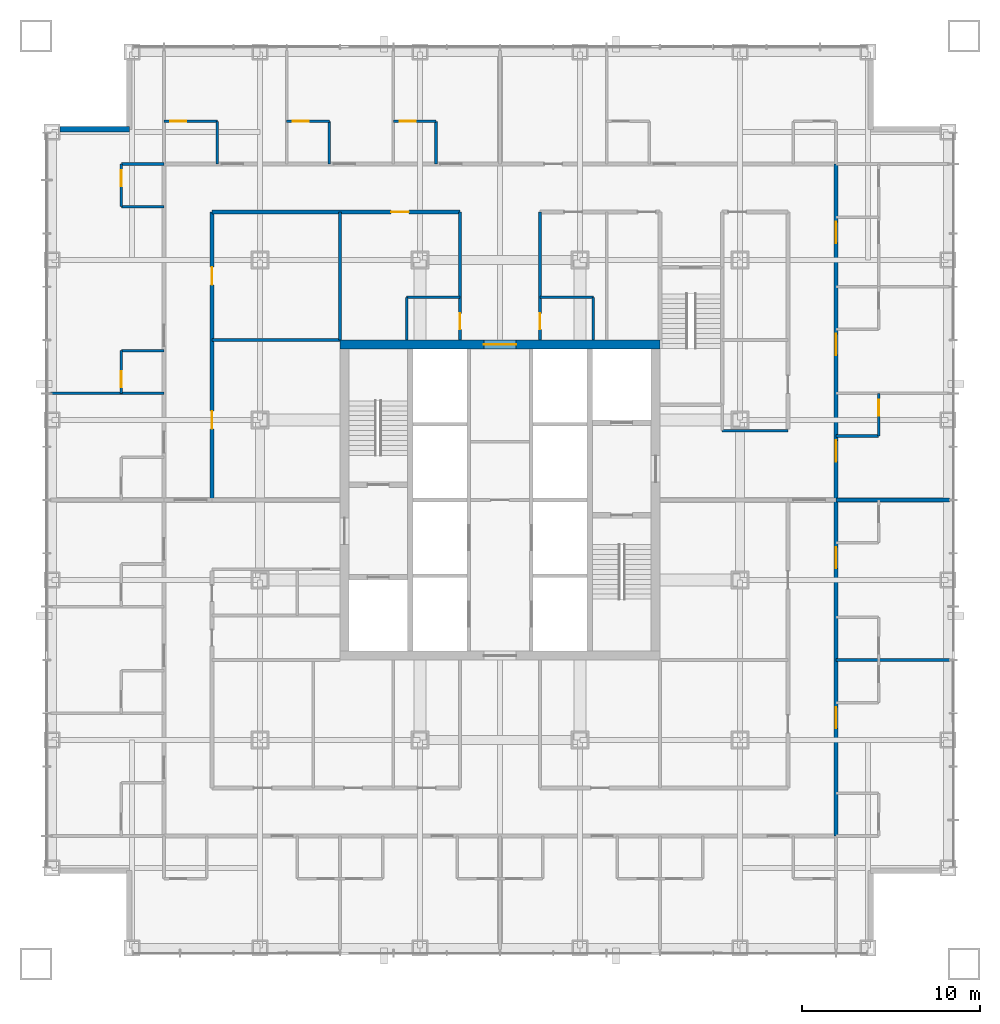
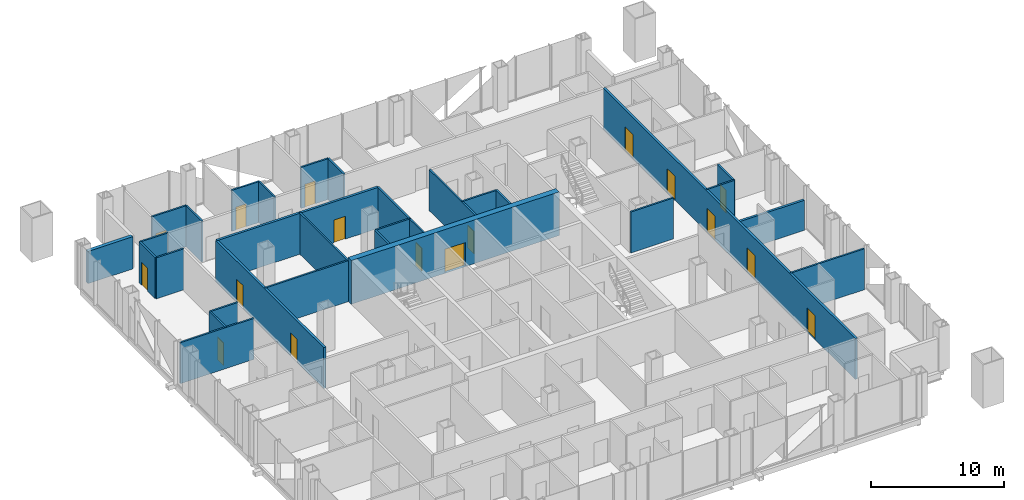
# One storey, part 10 of 17: 30 walls, 17 doors, 17 openings.
"""IFC4 building model written with IfcOpenShell, lengths in metres."""

from ifc_helpers import new_model, si_unit, direction, frame, frame_2d, origin, place, context, subcontext, project, spatial, rectangle, extrude, material, layer, layer_set, type_object, element, fill, save


model = new_model("IFC4")

# Units and contexts
model_context = context("Model", 3, precision=1e-05, world=origin(), true_north=direction((0.0, 1.0)))
body_context = subcontext(model_context, "Body", "Model", "MODEL_VIEW")
ifc_project = project(units=[si_unit("LENGTHUNIT", "METRE"), si_unit("AREAUNIT", "SQUARE_METRE"), si_unit("VOLUMEUNIT", "CUBIC_METRE"), si_unit("PLANEANGLEUNIT", "RADIAN"), si_unit("MASSUNIT", "GRAM", prefix="KILO")], contexts=[model_context])

# Site, building, storey
site_placement = place(None, origin())
site = spatial("IfcSite", under=ifc_project, at=site_placement, CompositionType="ELEMENT")
building_placement = place(site_placement, origin())
building = spatial("IfcBuilding", under=site, at=building_placement, Name="Malebo Sky Hospital", CompositionType="ELEMENT")
storey_placement = place(building_placement, frame((0.0, 0.0, 51.0)))
storey = spatial("IfcBuildingStorey", under=building, at=storey_placement, Name="L11", CompositionType="ELEMENT", Elevation=51.0)

# Wall, opening, door
ifc_material_1 = material(Name="Concrete C80/95", Category="concrete")
ifc_layer_1 = layer(ifc_material_1, 0.5)
ifc_layer_set_1 = layer_set([ifc_layer_1], Name="CORE WALL 500")
wall_type_1 = type_object("IfcWallType", Name="CORE WALL 500", PredefinedType="SHEAR", material=ifc_layer_set_1)
wall_1_placement = place(storey_placement, frame((51.0, 70.75, 0.0), z_axis=(0.0, 0.0, 1.0), x_axis=(1.0, 0.0, 0.0)))
wall_1 = element("IfcWall", 1, at=wall_1_placement, inside=storey, type_object=wall_type_1, Name="Core wall N L11", PredefinedType="SHEAR", context=body_context, shape_type="SweptSolid", body=[
    extrude(rectangle(XDim=18.0, YDim=0.5, at=frame_2d((9.0, 0.0))), origin(), (0.0, 0.0, 1.0), 4.0),
])
opening_1_placement = place(wall_1_placement, frame((8.10009765625, 0.0, 0.0)))
opening_1 = element("IfcOpeningElement", 2, at=opening_1_placement, cuts=wall_1, Name="Opening D06", PredefinedType="OPENING", context=body_context, shape_type="SweptSolid", body=[
    extrude(rectangle(XDim=1.800048828125, YDim=2.199951171875, at=frame_2d((0.89990234375, 1.10009765625))), frame((0.0, 0.260009765625, 0.0), z_axis=(0.0, -1.0, 0.0), x_axis=(1.0, 0.0, 0.0)), (0.0, 0.0, 1.0), 0.52001953125),
])
ifc_material_2 = material(Name="Hardwood-faced door leaf in steel frame", Category="steel")
door_type_1 = type_object("IfcDoorType", Name="LOBBY DOOR PAIR 1800", OperationType="DOUBLE_DOOR_SINGLE_SWING", PredefinedType="DOOR", material=ifc_material_2)
door_1_placement = place(opening_1_placement, origin())
door_1 = element("IfcDoor", 3, at=door_1_placement, inside=storey, type_object=door_type_1, Name="staff rest room door north", OperationType="DOUBLE_DOOR_SINGLE_SWING", OverallHeight=2.199951171875, OverallWidth=1.800048828125, PredefinedType="DOOR", context=body_context, shape_type="SweptSolid", body=[
    extrude(rectangle(XDim=1.800048828125, YDim=2.199951171875, at=frame_2d((0.89990234375, 1.10009765625))), frame((0.0, 0.02490234375, 0.0), z_axis=(0.0, -1.0, 0.0), x_axis=(1.0, 0.0, 0.0)), (0.0, 0.0, 1.0), 0.050048828125),
])
fill(opening_1, door_1)

ifc_material_3 = material(Name="Gypsum board on steel studs", Category="steel")
ifc_layer_2 = layer(ifc_material_3, 0.199951171875)
ifc_layer_set_2 = layer_set([ifc_layer_2], Name="CORRIDOR WALL 200")
wall_type_2 = type_object("IfcWallType", Name="CORRIDOR WALL 200", PredefinedType="PARTITIONING", material=ifc_layer_set_2)
wall_2_placement = place(storey_placement, frame((43.800048828125, 78.199951171875, 0.0), z_axis=(0.0, 0.0, 1.0), x_axis=(1.0, 0.0, 0.0)))
wall_2 = element("IfcWall", 4, at=wall_2_placement, inside=storey, type_object=wall_type_2, Name="Corridor Wall 200 NCI1", PredefinedType="PARTITIONING", context=body_context, shape_type="SweptSolid", body=[
    extrude(rectangle(XDim=13.949951171875, YDim=0.199951171875, at=frame_2d((6.97509765625, 0.0))), origin(), (0.0, 0.0, 1.0), 3.75),
])
opening_2_placement = place(wall_2_placement, frame((10.074951171875, 0.0, 0.0)))
opening_2 = element("IfcOpeningElement", 5, at=opening_2_placement, cuts=wall_2, Name="Opening D03", PredefinedType="OPENING", context=body_context, shape_type="SweptSolid", body=[
    extrude(rectangle(XDim=1.0, YDim=2.10009765625, at=frame_2d((0.5, 1.050048828125))), frame((0.0, 0.10986328125, 0.0), z_axis=(0.0, -1.0, 0.0), x_axis=(1.0, 0.0, 0.0)), (0.0, 0.0, 1.0), 0.219970703125),
])
door_type_2 = type_object("IfcDoorType", Name="ROOM DOOR 1000", OperationType="SINGLE_SWING_LEFT", PredefinedType="DOOR", material=ifc_material_2)
door_2_placement = place(opening_2_placement, origin())
door_2 = element("IfcDoor", 6, at=door_2_placement, inside=storey, type_object=door_type_2, Name="Consulting room door", OperationType="SINGLE_SWING_LEFT", OverallHeight=2.10009765625, OverallWidth=1.0, PredefinedType="DOOR", context=body_context, shape_type="SweptSolid", body=[
    extrude(rectangle(XDim=1.0, YDim=2.10009765625, at=frame_2d((0.5, 1.050048828125))), frame((0.0, 0.02490234375, 0.0), z_axis=(0.0, -1.0, 0.0), x_axis=(1.0, 0.0, 0.0)), (0.0, 0.0, 1.0), 0.050048828125),
])
fill(opening_2, door_2)

# Wall, openings, doors
wall_3_placement = place(storey_placement, frame((43.800048828125, 62.0, 0.0), z_axis=(0.0, 0.0, 1.0), x_axis=(0.0, 1.0, 0.0)))
wall_3 = element("IfcWall", 7, at=wall_3_placement, inside=storey, type_object=wall_type_2, Name="Corridor Wall 200 WCI2", PredefinedType="PARTITIONING", context=body_context, shape_type="SweptSolid", body=[
    extrude(rectangle(XDim=16.199951171875, YDim=0.199951171875, at=frame_2d((8.10009765625, 0.0))), origin(), (0.0, 0.0, 1.0), 3.75),
])
opening_3_placement = place(wall_3_placement, frame((4.0, 0.0, 0.0)))
opening_3 = element("IfcOpeningElement", 8, at=opening_3_placement, cuts=wall_3, Name="Opening D03", PredefinedType="OPENING", context=body_context, shape_type="SweptSolid", body=[
    extrude(rectangle(XDim=1.0, YDim=2.10009765625, at=frame_2d((0.5, 1.050048828125))), frame((0.0, 0.10986328125, 0.0), z_axis=(0.0, -1.0, 0.0), x_axis=(1.0, 0.0, 0.0)), (0.0, 0.0, 1.0), 0.219970703125),
])
opening_4_placement = place(wall_3_placement, frame((12.10009765625, 0.0, 0.0)))
opening_4 = element("IfcOpeningElement", 9, at=opening_4_placement, cuts=wall_3, Name="Opening D03", PredefinedType="OPENING", context=body_context, shape_type="SweptSolid", body=[
    extrude(rectangle(XDim=1.0, YDim=2.10009765625, at=frame_2d((0.5, 1.050048828125))), frame((0.0, 0.10986328125, 0.0), z_axis=(0.0, -1.0, 0.0), x_axis=(1.0, 0.0, 0.0)), (0.0, 0.0, 1.0), 0.219970703125),
])
door_3_placement = place(opening_3_placement, origin())
door_3 = element("IfcDoor", 10, at=door_3_placement, inside=storey, type_object=door_type_2, Name="Nurse station door", OperationType="SINGLE_SWING_LEFT", OverallHeight=2.10009765625, OverallWidth=1.0, PredefinedType="DOOR", context=body_context, shape_type="SweptSolid", body=[
    extrude(rectangle(XDim=1.0, YDim=2.10009765625, at=frame_2d((0.5, 1.050048828125))), frame((0.0, 0.02490234375, 0.0), z_axis=(0.0, -1.0, 0.0), x_axis=(1.0, 0.0, 0.0)), (0.0, 0.0, 1.0), 0.050048828125),
])
fill(opening_3, door_3)
door_4_placement = place(opening_4_placement, origin())
door_4 = element("IfcDoor", 11, at=door_4_placement, inside=storey, type_object=door_type_2, Name="Treatment room door", OperationType="SINGLE_SWING_RIGHT", OverallHeight=2.10009765625, OverallWidth=1.0, PredefinedType="DOOR", context=body_context, shape_type="SweptSolid", body=[
    extrude(rectangle(XDim=1.0, YDim=2.10009765625, at=frame_2d((0.5, 1.050048828125))), frame((0.0, 0.02490234375, 0.0), z_axis=(0.0, -1.0, 0.0), x_axis=(1.0, 0.0, 0.0)), (0.0, 0.0, 1.0), 0.050048828125),
])
fill(opening_4, door_4)

wall_4_placement = place(storey_placement, frame((78.89990234375, 80.89990234375, 0.0), z_axis=(0.0, 0.0, 1.0), x_axis=(0.0, -1.0, 0.0)))
wall_4 = element("IfcWall", 12, at=wall_4_placement, inside=storey, type_object=wall_type_2, Name="Corridor Wall 200 ECO", PredefinedType="PARTITIONING", context=body_context, shape_type="SweptSolid", body=[
    extrude(rectangle(XDim=37.7998046875, YDim=0.199951171875, at=frame_2d((18.89990234375, 0.0))), origin(), (0.0, 0.0, 1.0), 3.75),
])
opening_5_placement = place(wall_4_placement, frame((3.25, 0.0, 0.0)))
opening_5 = element("IfcOpeningElement", 13, at=opening_5_placement, cuts=wall_4, Name="Opening D18", PredefinedType="OPENING", context=body_context, shape_type="SweptSolid", body=[
    extrude(rectangle(XDim=1.199951171875, YDim=2.199951171875, at=frame_2d((0.60009765625, 1.10009765625))), frame((0.0, 0.10986328125, 0.0), z_axis=(0.0, -1.0, 0.0), x_axis=(1.0, 0.0, 0.0)), (0.0, 0.0, 1.0), 0.219970703125),
])
opening_6_placement = place(wall_4_placement, frame((9.550048828125, 0.0, 0.0)))
opening_6 = element("IfcOpeningElement", 14, at=opening_6_placement, cuts=wall_4, Name="Opening D01", PredefinedType="OPENING", context=body_context, shape_type="SweptSolid", body=[
    extrude(rectangle(XDim=1.199951171875, YDim=2.199951171875, at=frame_2d((0.60009765625, 1.10009765625))), frame((0.0, 0.10986328125, 0.0), z_axis=(0.0, -1.0, 0.0), x_axis=(1.0, 0.0, 0.0)), (0.0, 0.0, 1.0), 0.219970703125),
])
opening_7_placement = place(wall_4_placement, frame((15.550048828125, 0.0, 0.0)))
opening_7 = element("IfcOpeningElement", 15, at=opening_7_placement, cuts=wall_4, Name="Opening D01", PredefinedType="OPENING", context=body_context, shape_type="SweptSolid", body=[
    extrude(rectangle(XDim=1.199951171875, YDim=2.199951171875, at=frame_2d((0.60009765625, 1.10009765625))), frame((0.0, 0.10986328125, 0.0), z_axis=(0.0, -1.0, 0.0), x_axis=(1.0, 0.0, 0.0)), (0.0, 0.0, 1.0), 0.219970703125),
])
opening_8_placement = place(wall_4_placement, frame((21.550048828125, 0.0, 0.0)))
opening_8 = element("IfcOpeningElement", 16, at=opening_8_placement, cuts=wall_4, Name="Opening D01", PredefinedType="OPENING", context=body_context, shape_type="SweptSolid", body=[
    extrude(rectangle(XDim=1.199951171875, YDim=2.199951171875, at=frame_2d((0.60009765625, 1.10009765625))), frame((0.0, 0.10986328125, 0.0), z_axis=(0.0, -1.0, 0.0), x_axis=(1.0, 0.0, 0.0)), (0.0, 0.0, 1.0), 0.219970703125),
])
opening_9_placement = place(wall_4_placement, frame((30.550048828125, 0.0, 0.0)))
opening_9 = element("IfcOpeningElement", 17, at=opening_9_placement, cuts=wall_4, Name="Opening D01", PredefinedType="OPENING", context=body_context, shape_type="SweptSolid", body=[
    extrude(rectangle(XDim=1.199951171875, YDim=2.199951171875, at=frame_2d((0.60009765625, 1.10009765625))), frame((0.0, 0.10986328125, 0.0), z_axis=(0.0, -1.0, 0.0), x_axis=(1.0, 0.0, 0.0)), (0.0, 0.0, 1.0), 0.219970703125),
])
door_type_3 = type_object("IfcDoorType", Name="ANTEROOM DOOR 1200", OperationType="SINGLE_SWING_LEFT", PredefinedType="DOOR", material=ifc_material_2)
door_5_placement = place(opening_5_placement, origin())
door_5 = element("IfcDoor", 18, at=door_5_placement, inside=storey, type_object=door_type_3, Name="Anteroom door", OperationType="SINGLE_SWING_LEFT", OverallHeight=2.199951171875, OverallWidth=1.199951171875, PredefinedType="DOOR", context=body_context, shape_type="SweptSolid", body=[
    extrude(rectangle(XDim=1.199951171875, YDim=2.199951171875, at=frame_2d((0.60009765625, 1.10009765625))), frame((0.0, 0.02490234375, 0.0), z_axis=(0.0, -1.0, 0.0), x_axis=(1.0, 0.0, 0.0)), (0.0, 0.0, 1.0), 0.050048828125),
])
fill(opening_5, door_5)
door_type_4 = type_object("IfcDoorType", Name="BED DOOR 1200", OperationType="SINGLE_SWING_LEFT", PredefinedType="DOOR", material=ifc_material_2)
door_6_placement = place(opening_6_placement, origin())
door_6 = element("IfcDoor", 19, at=door_6_placement, inside=storey, type_object=door_type_4, Name="Two-bed room door", OperationType="SINGLE_SWING_LEFT", OverallHeight=2.199951171875, OverallWidth=1.199951171875, PredefinedType="DOOR", context=body_context, shape_type="SweptSolid", body=[
    extrude(rectangle(XDim=1.199951171875, YDim=2.199951171875, at=frame_2d((0.60009765625, 1.10009765625))), frame((0.0, 0.02490234375, 0.0), z_axis=(0.0, -1.0, 0.0), x_axis=(1.0, 0.0, 0.0)), (0.0, 0.0, 1.0), 0.050048828125),
])
fill(opening_6, door_6)
door_7_placement = place(opening_7_placement, origin())
door_7 = element("IfcDoor", 20, at=door_7_placement, inside=storey, type_object=door_type_4, Name="Two-bed room door", OperationType="SINGLE_SWING_LEFT", OverallHeight=2.199951171875, OverallWidth=1.199951171875, PredefinedType="DOOR", context=body_context, shape_type="SweptSolid", body=[
    extrude(rectangle(XDim=1.199951171875, YDim=2.199951171875, at=frame_2d((0.60009765625, 1.10009765625))), frame((0.0, 0.02490234375, 0.0), z_axis=(0.0, -1.0, 0.0), x_axis=(1.0, 0.0, 0.0)), (0.0, 0.0, 1.0), 0.050048828125),
])
fill(opening_7, door_7)
door_8_placement = place(opening_8_placement, origin())
door_8 = element("IfcDoor", 21, at=door_8_placement, inside=storey, type_object=door_type_4, Name="Four-bed bay door", OperationType="SINGLE_SWING_LEFT", OverallHeight=2.199951171875, OverallWidth=1.199951171875, PredefinedType="DOOR", context=body_context, shape_type="SweptSolid", body=[
    extrude(rectangle(XDim=1.199951171875, YDim=2.199951171875, at=frame_2d((0.60009765625, 1.10009765625))), frame((0.0, 0.02490234375, 0.0), z_axis=(0.0, -1.0, 0.0), x_axis=(1.0, 0.0, 0.0)), (0.0, 0.0, 1.0), 0.050048828125),
])
fill(opening_8, door_8)
door_9_placement = place(opening_9_placement, origin())
door_9 = element("IfcDoor", 22, at=door_9_placement, inside=storey, type_object=door_type_4, Name="Four-bed bay door", OperationType="SINGLE_SWING_LEFT", OverallHeight=2.199951171875, OverallWidth=1.199951171875, PredefinedType="DOOR", context=body_context, shape_type="SweptSolid", body=[
    extrude(rectangle(XDim=1.199951171875, YDim=2.199951171875, at=frame_2d((0.60009765625, 1.10009765625))), frame((0.0, 0.02490234375, 0.0), z_axis=(0.0, -1.0, 0.0), x_axis=(1.0, 0.0, 0.0)), (0.0, 0.0, 1.0), 0.050048828125),
])
fill(opening_9, door_9)

# Wall
ifc_material_4 = material(Name="Anodised aluminium rainscreen on steel framing", Category="steel")
ifc_layer_3 = layer(ifc_material_4, 0.300048828125)
ifc_layer_set_3 = layer_set([ifc_layer_3], Name="NOTCH RAINSCREEN WALL 300")
wall_type_3 = type_object("IfcWallType", Name="NOTCH RAINSCREEN WALL 300", PredefinedType="ELEMENTEDWALL", material=ifc_layer_set_3)
wall_5_placement = place(storey_placement, frame((35.25, 82.85009765625, 0.0), z_axis=(0.0, 0.0, 1.0), x_axis=(1.0, 0.0, 0.0)))
element("IfcWall", 23, at=wall_5_placement, inside=storey, type_object=wall_type_3, Name="Notch rainscreen wall W1 L11", PredefinedType="ELEMENTEDWALL", context=body_context, shape_type="SweptSolid", body=[
    extrude(rectangle(XDim=3.89990234375, YDim=0.300048828125, at=frame_2d((1.949951171875, 0.0))), origin(), (0.0, 0.0, 1.0), 2.949951171875),
])

# Wall, opening, door
ifc_layer_4 = layer(ifc_material_3, 0.14990234375)
ifc_layer_set_4 = layer_set([ifc_layer_4], Name="PARTITION 150")
wall_type_4 = type_object("IfcWallType", Name="PARTITION 150", PredefinedType="PARTITIONING", material=ifc_layer_set_4)
wall_6_placement = place(storey_placement, frame((41.10009765625, 83.300048828125, 0.0), z_axis=(0.0, 0.0, 1.0), x_axis=(1.0, 0.0, 0.0)))
wall_6 = element("IfcWall", 24, at=wall_6_placement, inside=storey, type_object=wall_type_4, Name="Partition 150 NE0F", PredefinedType="PARTITIONING", context=body_context, shape_type="SweptSolid", body=[
    extrude(rectangle(XDim=3.0, YDim=0.14990234375, at=frame_2d((1.5, 0.0))), origin(), (0.0, 0.0, 1.0), 3.75),
])
opening_10_placement = place(wall_6_placement, frame((0.35009765625, 0.0, 0.0)))
opening_10 = element("IfcOpeningElement", 25, at=opening_10_placement, cuts=wall_6, Name="Opening D02", PredefinedType="OPENING", context=body_context, shape_type="SweptSolid", body=[
    extrude(rectangle(XDim=0.89990234375, YDim=2.10009765625, at=frame_2d((0.449951171875, 1.050048828125))), frame((0.0, 0.0849609375, 0.0), z_axis=(0.0, -1.0, 0.0), x_axis=(1.0, 0.0, 0.0)), (0.0, 0.0, 1.0), 0.169921875),
])
door_type_5 = type_object("IfcDoorType", Name="EN-SUITE DOOR 900", OperationType="SINGLE_SWING_LEFT", PredefinedType="DOOR", material=ifc_material_2)
door_10_placement = place(opening_10_placement, origin())
door_10 = element("IfcDoor", 26, at=door_10_placement, inside=storey, type_object=door_type_5, Name="En-suite door", OperationType="SINGLE_SWING_LEFT", OverallHeight=2.10009765625, OverallWidth=0.89990234375, PredefinedType="DOOR", context=body_context, shape_type="SweptSolid", body=[
    extrude(rectangle(XDim=0.89990234375, YDim=2.10009765625, at=frame_2d((0.449951171875, 1.050048828125))), frame((0.0, 0.02490234375, 0.0), z_axis=(0.0, -1.0, 0.0), x_axis=(1.0, 0.0, 0.0)), (0.0, 0.0, 1.0), 0.050048828125),
])
fill(opening_10, door_10)

# Wall
wall_7_placement = place(storey_placement, frame((44.10009765625, 80.89990234375, 0.0), z_axis=(0.0, 0.0, 1.0), x_axis=(0.0, 1.0, 0.0)))
element("IfcWall", 27, at=wall_7_placement, inside=storey, type_object=wall_type_4, Name="Partition 150 NE0S", PredefinedType="PARTITIONING", context=body_context, shape_type="SweptSolid", body=[
    extrude(rectangle(XDim=2.400146484375, YDim=0.14990234375, at=frame_2d((1.2001953125, 0.0))), origin(), (0.0, 0.0, 1.0), 3.75),
])

# Wall, opening, door
wall_8_placement = place(storey_placement, frame((48.0, 83.300048828125, 0.0), z_axis=(0.0, 0.0, 1.0), x_axis=(1.0, 0.0, 0.0)))
wall_8 = element("IfcWall", 28, at=wall_8_placement, inside=storey, type_object=wall_type_4, Name="Partition 150 NE1F", PredefinedType="PARTITIONING", context=body_context, shape_type="SweptSolid", body=[
    extrude(rectangle(XDim=2.39990234375, YDim=0.14990234375, at=frame_2d((1.199951171875, 0.0))), origin(), (0.0, 0.0, 1.0), 3.75),
])
opening_11_placement = place(wall_8_placement, frame((0.35009765625, 0.0, 0.0)))
opening_11 = element("IfcOpeningElement", 29, at=opening_11_placement, cuts=wall_8, Name="Opening D02", PredefinedType="OPENING", context=body_context, shape_type="SweptSolid", body=[
    extrude(rectangle(XDim=0.89990234375, YDim=2.10009765625, at=frame_2d((0.449951171875, 1.050048828125))), frame((0.0, 0.0849609375, 0.0), z_axis=(0.0, -1.0, 0.0), x_axis=(1.0, 0.0, 0.0)), (0.0, 0.0, 1.0), 0.169921875),
])
door_11_placement = place(opening_11_placement, origin())
door_11 = element("IfcDoor", 30, at=door_11_placement, inside=storey, type_object=door_type_5, Name="En-suite door", OperationType="SINGLE_SWING_LEFT", OverallHeight=2.10009765625, OverallWidth=0.89990234375, PredefinedType="DOOR", context=body_context, shape_type="SweptSolid", body=[
    extrude(rectangle(XDim=0.89990234375, YDim=2.10009765625, at=frame_2d((0.449951171875, 1.050048828125))), frame((0.0, 0.02490234375, 0.0), z_axis=(0.0, -1.0, 0.0), x_axis=(1.0, 0.0, 0.0)), (0.0, 0.0, 1.0), 0.050048828125),
])
fill(opening_11, door_11)

# Wall
wall_9_placement = place(storey_placement, frame((50.39990234375, 80.89990234375, 0.0), z_axis=(0.0, 0.0, 1.0), x_axis=(0.0, 1.0, 0.0)))
element("IfcWall", 31, at=wall_9_placement, inside=storey, type_object=wall_type_4, Name="Partition 150 NE1S", PredefinedType="PARTITIONING", context=body_context, shape_type="SweptSolid", body=[
    extrude(rectangle(XDim=2.400146484375, YDim=0.14990234375, at=frame_2d((1.2001953125, 0.0))), origin(), (0.0, 0.0, 1.0), 3.75),
])

# Wall, opening, door
wall_10_placement = place(storey_placement, frame((54.0, 83.300048828125, 0.0), z_axis=(0.0, 0.0, 1.0), x_axis=(1.0, 0.0, 0.0)))
wall_10 = element("IfcWall", 32, at=wall_10_placement, inside=storey, type_object=wall_type_4, Name="Partition 150 NE2F", PredefinedType="PARTITIONING", context=body_context, shape_type="SweptSolid", body=[
    extrude(rectangle(XDim=2.39990234375, YDim=0.14990234375, at=frame_2d((1.199951171875, 0.0))), origin(), (0.0, 0.0, 1.0), 3.75),
])
opening_12_placement = place(wall_10_placement, frame((0.35009765625, 0.0, 0.0)))
opening_12 = element("IfcOpeningElement", 33, at=opening_12_placement, cuts=wall_10, Name="Opening D02", PredefinedType="OPENING", context=body_context, shape_type="SweptSolid", body=[
    extrude(rectangle(XDim=0.89990234375, YDim=2.10009765625, at=frame_2d((0.449951171875, 1.050048828125))), frame((0.0, 0.0849609375, 0.0), z_axis=(0.0, -1.0, 0.0), x_axis=(1.0, 0.0, 0.0)), (0.0, 0.0, 1.0), 0.169921875),
])
door_12_placement = place(opening_12_placement, origin())
door_12 = element("IfcDoor", 34, at=door_12_placement, inside=storey, type_object=door_type_5, Name="En-suite door", OperationType="SINGLE_SWING_LEFT", OverallHeight=2.10009765625, OverallWidth=0.89990234375, PredefinedType="DOOR", context=body_context, shape_type="SweptSolid", body=[
    extrude(rectangle(XDim=0.89990234375, YDim=2.10009765625, at=frame_2d((0.449951171875, 1.050048828125))), frame((0.0, 0.02490234375, 0.0), z_axis=(0.0, -1.0, 0.0), x_axis=(1.0, 0.0, 0.0)), (0.0, 0.0, 1.0), 0.050048828125),
])
fill(opening_12, door_12)

# Walls
wall_11_placement = place(storey_placement, frame((56.39990234375, 80.89990234375, 0.0), z_axis=(0.0, 0.0, 1.0), x_axis=(0.0, 1.0, 0.0)))
element("IfcWall", 35, at=wall_11_placement, inside=storey, type_object=wall_type_4, Name="Partition 150 NE2S", PredefinedType="PARTITIONING", context=body_context, shape_type="SweptSolid", body=[
    extrude(rectangle(XDim=2.400146484375, YDim=0.14990234375, at=frame_2d((1.2001953125, 0.0))), origin(), (0.0, 0.0, 1.0), 3.75),
])
wall_12_placement = place(storey_placement, frame((51.0, 71.0, 0.0), z_axis=(0.0, 0.0, 1.0), x_axis=(0.0, 1.0, 0.0)))
element("IfcWall", 36, at=wall_12_placement, inside=storey, type_object=wall_type_4, Name="Partition 150 NSP0", PredefinedType="PARTITIONING", context=body_context, shape_type="SweptSolid", body=[
    extrude(rectangle(XDim=7.199951171875, YDim=0.14990234375, at=frame_2d((3.60009765625, 0.0))), origin(), (0.0, 0.0, 1.0), 3.75),
])

# Wall, opening, door
wall_13_placement = place(storey_placement, frame((57.75, 71.0, 0.0), z_axis=(0.0, 0.0, 1.0), x_axis=(0.0, 1.0, 0.0)))
wall_13 = element("IfcWall", 37, at=wall_13_placement, inside=storey, type_object=wall_type_4, Name="Partition 150 NSPA", PredefinedType="PARTITIONING", context=body_context, shape_type="SweptSolid", body=[
    extrude(rectangle(XDim=7.199951171875, YDim=0.14990234375, at=frame_2d((3.60009765625, 0.0))), origin(), (0.0, 0.0, 1.0), 3.75),
])
opening_13_placement = place(wall_13_placement, frame((0.60009765625, 0.0, 0.0)))
opening_13 = element("IfcOpeningElement", 38, at=opening_13_placement, cuts=wall_13, Name="Opening D04", PredefinedType="OPENING", context=body_context, shape_type="SweptSolid", body=[
    extrude(rectangle(XDim=0.89990234375, YDim=2.10009765625, at=frame_2d((0.449951171875, 1.050048828125))), frame((0.0, 0.0849609375, 0.0), z_axis=(0.0, -1.0, 0.0), x_axis=(1.0, 0.0, 0.0)), (0.0, 0.0, 1.0), 0.169921875),
])
door_type_6 = type_object("IfcDoorType", Name="ROOM DOOR 900", OperationType="SINGLE_SWING_LEFT", PredefinedType="DOOR", material=ifc_material_2)
door_13_placement = place(opening_13_placement, origin())
door_13 = element("IfcDoor", 39, at=door_13_placement, inside=storey, type_object=door_type_6, Name="Staff WC door", OperationType="SINGLE_SWING_LEFT", OverallHeight=2.10009765625, OverallWidth=0.89990234375, PredefinedType="DOOR", context=body_context, shape_type="SweptSolid", body=[
    extrude(rectangle(XDim=0.89990234375, YDim=2.10009765625, at=frame_2d((0.449951171875, 1.050048828125))), frame((0.0, 0.02490234375, 0.0), z_axis=(0.0, -1.0, 0.0), x_axis=(1.0, 0.0, 0.0)), (0.0, 0.0, 1.0), 0.050048828125),
])
fill(opening_13, door_13)

wall_14_placement = place(storey_placement, frame((62.25, 71.0, 0.0), z_axis=(0.0, 0.0, 1.0), x_axis=(0.0, 1.0, 0.0)))
wall_14 = element("IfcWall", 40, at=wall_14_placement, inside=storey, type_object=wall_type_4, Name="Partition 150 NSPB", PredefinedType="PARTITIONING", context=body_context, shape_type="SweptSolid", body=[
    extrude(rectangle(XDim=7.199951171875, YDim=0.14990234375, at=frame_2d((3.60009765625, 0.0))), origin(), (0.0, 0.0, 1.0), 3.75),
])
opening_14_placement = place(wall_14_placement, frame((0.60009765625, 0.0, 0.0)))
opening_14 = element("IfcOpeningElement", 41, at=opening_14_placement, cuts=wall_14, Name="Opening D04", PredefinedType="OPENING", context=body_context, shape_type="SweptSolid", body=[
    extrude(rectangle(XDim=0.89990234375, YDim=2.10009765625, at=frame_2d((0.449951171875, 1.050048828125))), frame((0.0, 0.0849609375, 0.0), z_axis=(0.0, -1.0, 0.0), x_axis=(1.0, 0.0, 0.0)), (0.0, 0.0, 1.0), 0.169921875),
])
door_14_placement = place(opening_14_placement, origin())
door_14 = element("IfcDoor", 42, at=door_14_placement, inside=storey, type_object=door_type_6, Name="Accessible WC door", OperationType="SINGLE_SWING_LEFT", OverallHeight=2.10009765625, OverallWidth=0.89990234375, PredefinedType="DOOR", context=body_context, shape_type="SweptSolid", body=[
    extrude(rectangle(XDim=0.89990234375, YDim=2.10009765625, at=frame_2d((0.449951171875, 1.050048828125))), frame((0.0, 0.02490234375, 0.0), z_axis=(0.0, -1.0, 0.0), x_axis=(1.0, 0.0, 0.0)), (0.0, 0.0, 1.0), 0.050048828125),
])
fill(opening_14, door_14)

# Walls
wall_15_placement = place(storey_placement, frame((54.75, 73.39990234375, 0.0), z_axis=(0.0, 0.0, 1.0), x_axis=(1.0, 0.0, 0.0)))
element("IfcWall", 43, at=wall_15_placement, inside=storey, type_object=wall_type_4, Name="Partition 150 NSX0", PredefinedType="PARTITIONING", context=body_context, shape_type="SweptSolid", body=[
    extrude(rectangle(XDim=3.0, YDim=0.14990234375, at=frame_2d((1.5, 0.0))), origin(), (0.0, 0.0, 1.0), 3.75),
])
wall_16_placement = place(storey_placement, frame((54.75, 71.0, 0.0), z_axis=(0.0, 0.0, 1.0), x_axis=(0.0, 1.0, 0.0)))
element("IfcWall", 44, at=wall_16_placement, inside=storey, type_object=wall_type_4, Name="Partition 150 NSY0", PredefinedType="PARTITIONING", context=body_context, shape_type="SweptSolid", body=[
    extrude(rectangle(XDim=2.39990234375, YDim=0.14990234375, at=frame_2d((1.199951171875, 0.0))), origin(), (0.0, 0.0, 1.0), 3.75),
])
wall_17_placement = place(storey_placement, frame((62.25, 73.39990234375, 0.0), z_axis=(0.0, 0.0, 1.0), x_axis=(1.0, 0.0, 0.0)))
element("IfcWall", 45, at=wall_17_placement, inside=storey, type_object=wall_type_4, Name="Partition 150 NSX1", PredefinedType="PARTITIONING", context=body_context, shape_type="SweptSolid", body=[
    extrude(rectangle(XDim=3.0, YDim=0.14990234375, at=frame_2d((1.5, 0.0))), origin(), (0.0, 0.0, 1.0), 3.75),
])
wall_18_placement = place(storey_placement, frame((65.25, 71.0, 0.0), z_axis=(0.0, 0.0, 1.0), x_axis=(0.0, 1.0, 0.0)))
element("IfcWall", 46, at=wall_18_placement, inside=storey, type_object=wall_type_4, Name="Partition 150 NSY1", PredefinedType="PARTITIONING", context=body_context, shape_type="SweptSolid", body=[
    extrude(rectangle(XDim=2.39990234375, YDim=0.14990234375, at=frame_2d((1.199951171875, 0.0))), origin(), (0.0, 0.0, 1.0), 3.75),
])
wall_19_placement = place(storey_placement, frame((41.10009765625, 68.0, 0.0), z_axis=(0.0, 0.0, 1.0), x_axis=(-1.0, 0.0, 0.0)))
element("IfcWall", 47, at=wall_19_placement, inside=storey, type_object=wall_type_4, Name="Partition 150 WP+6.0", PredefinedType="PARTITIONING", context=body_context, shape_type="SweptSolid", body=[
    extrude(rectangle(XDim=6.375, YDim=0.14990234375, at=frame_2d((3.1875, 0.0))), origin(), (0.0, 0.0, 1.0), 3.75),
])

# Wall, opening, door
wall_20_placement = place(storey_placement, frame((38.699951171875, 68.0, 0.0), z_axis=(0.0, 0.0, 1.0), x_axis=(0.0, 1.0, 0.0)))
wall_20 = element("IfcWall", 48, at=wall_20_placement, inside=storey, type_object=wall_type_4, Name="Partition 150 WE4F", PredefinedType="PARTITIONING", context=body_context, shape_type="SweptSolid", body=[
    extrude(rectangle(XDim=2.39990234375, YDim=0.14990234375, at=frame_2d((1.199951171875, 0.0))), origin(), (0.0, 0.0, 1.0), 3.75),
])
opening_15_placement = place(wall_20_placement, frame((0.35009765625, 0.0, 0.0)))
opening_15 = element("IfcOpeningElement", 49, at=opening_15_placement, cuts=wall_20, Name="Opening D02", PredefinedType="OPENING", context=body_context, shape_type="SweptSolid", body=[
    extrude(rectangle(XDim=0.89990234375, YDim=2.10009765625, at=frame_2d((0.449951171875, 1.050048828125))), frame((0.0, 0.0849609375, 0.0), z_axis=(0.0, -1.0, 0.0), x_axis=(1.0, 0.0, 0.0)), (0.0, 0.0, 1.0), 0.169921875),
])
door_15_placement = place(opening_15_placement, origin())
door_15 = element("IfcDoor", 50, at=door_15_placement, inside=storey, type_object=door_type_5, Name="En-suite door", OperationType="SINGLE_SWING_LEFT", OverallHeight=2.10009765625, OverallWidth=0.89990234375, PredefinedType="DOOR", context=body_context, shape_type="SweptSolid", body=[
    extrude(rectangle(XDim=0.89990234375, YDim=2.10009765625, at=frame_2d((0.449951171875, 1.050048828125))), frame((0.0, 0.02490234375, 0.0), z_axis=(0.0, -1.0, 0.0), x_axis=(1.0, 0.0, 0.0)), (0.0, 0.0, 1.0), 0.050048828125),
])
fill(opening_15, door_15)

# Wall
wall_21_placement = place(storey_placement, frame((41.10009765625, 70.39990234375, 0.0), z_axis=(0.0, 0.0, 1.0), x_axis=(-1.0, 0.0, 0.0)))
element("IfcWall", 51, at=wall_21_placement, inside=storey, type_object=wall_type_4, Name="Partition 150 WE4S", PredefinedType="PARTITIONING", context=body_context, shape_type="SweptSolid", body=[
    extrude(rectangle(XDim=2.400146484375, YDim=0.14990234375, at=frame_2d((1.2001953125, 0.0))), origin(), (0.0, 0.0, 1.0), 3.75),
])

# Wall, opening, door
wall_22_placement = place(storey_placement, frame((38.699951171875, 78.5, 0.0), z_axis=(0.0, 0.0, 1.0), x_axis=(0.0, 1.0, 0.0)))
wall_22 = element("IfcWall", 52, at=wall_22_placement, inside=storey, type_object=wall_type_4, Name="Partition 150 WG4F", PredefinedType="PARTITIONING", context=body_context, shape_type="SweptSolid", body=[
    extrude(rectangle(XDim=2.39990234375, YDim=0.14990234375, at=frame_2d((1.199951171875, 0.0))), origin(), (0.0, 0.0, 1.0), 3.75),
])
opening_16_placement = place(wall_22_placement, frame((1.14990234375, 0.0, 0.0)))
opening_16 = element("IfcOpeningElement", 53, at=opening_16_placement, cuts=wall_22, Name="Opening D02", PredefinedType="OPENING", context=body_context, shape_type="SweptSolid", body=[
    extrude(rectangle(XDim=0.89990234375, YDim=2.10009765625, at=frame_2d((0.449951171875, 1.050048828125))), frame((0.0, 0.0849609375, 0.0), z_axis=(0.0, -1.0, 0.0), x_axis=(1.0, 0.0, 0.0)), (0.0, 0.0, 1.0), 0.169921875),
])
door_16_placement = place(opening_16_placement, origin())
door_16 = element("IfcDoor", 54, at=door_16_placement, inside=storey, type_object=door_type_5, Name="En-suite door", OperationType="SINGLE_SWING_RIGHT", OverallHeight=2.10009765625, OverallWidth=0.89990234375, PredefinedType="DOOR", context=body_context, shape_type="SweptSolid", body=[
    extrude(rectangle(XDim=0.89990234375, YDim=2.10009765625, at=frame_2d((0.449951171875, 1.050048828125))), frame((0.0, 0.02490234375, 0.0), z_axis=(0.0, -1.0, 0.0), x_axis=(1.0, 0.0, 0.0)), (0.0, 0.0, 1.0), 0.050048828125),
])
fill(opening_16, door_16)

# Walls
for number, where, z_axis, x_axis, name in (
    (55, (41.10009765625, 78.5, 0.0), (0.0, 0.0, 1.0), (-1.0, 0.0, 0.0), "Partition 150 WG4S"),
    (56, (41.10009765625, 80.89990234375, 0.0), (0.0, 0.0, 1.0), (-1.0, 0.0, 0.0), "Partition 150 WEZ"),
):
    element("IfcWall", number, at=place(storey_placement, frame(where, z_axis=z_axis, x_axis=x_axis)), inside=storey, type_object=wall_type_4, Name=name, PredefinedType="PARTITIONING", context=body_context, shape_type="SweptSolid", body=[
        extrude(rectangle(XDim=2.400146484375, YDim=0.14990234375, at=frame_2d((1.2001953125, 0.0))), origin(), (0.0, 0.0, 1.0), 3.75),
    ])
wall_23_placement = place(storey_placement, frame((51.0, 71.0, 0.0), z_axis=(0.0, 0.0, 1.0), x_axis=(-1.0, 0.0, 0.0)))
element("IfcWall", 57, at=wall_23_placement, inside=storey, type_object=wall_type_4, Name="Partition 150 WSP+9.0", PredefinedType="PARTITIONING", context=body_context, shape_type="SweptSolid", body=[
    extrude(rectangle(XDim=7.199951171875, YDim=0.14990234375, at=frame_2d((3.60009765625, 0.0))), origin(), (0.0, 0.0, 1.0), 3.75),
])
wall_24_placement = place(storey_placement, frame((78.89990234375, 53.0, 0.0), z_axis=(0.0, 0.0, 1.0), x_axis=(1.0, 0.0, 0.0)))
element("IfcWall", 58, at=wall_24_placement, inside=storey, type_object=wall_type_4, Name="Partition 150 EP+9.0", PredefinedType="PARTITIONING", context=body_context, shape_type="SweptSolid", body=[
    extrude(rectangle(XDim=6.375, YDim=0.14990234375, at=frame_2d((3.1875, 0.0))), origin(), (0.0, 0.0, 1.0), 3.75),
])

# Wall, opening, door
wall_25_placement = place(storey_placement, frame((81.300048828125, 68.0, 0.0), z_axis=(0.0, 0.0, 1.0), x_axis=(0.0, -1.0, 0.0)))
wall_25 = element("IfcWall", 59, at=wall_25_placement, inside=storey, type_object=wall_type_4, Name="Partition 150 EE2F", PredefinedType="PARTITIONING", context=body_context, shape_type="SweptSolid", body=[
    extrude(rectangle(XDim=2.39990234375, YDim=0.14990234375, at=frame_2d((1.199951171875, 0.0))), origin(), (0.0, 0.0, 1.0), 3.75),
])
opening_17_placement = place(wall_25_placement, frame((0.35009765625, 0.0, 0.0)))
opening_17 = element("IfcOpeningElement", 60, at=opening_17_placement, cuts=wall_25, Name="Opening D02", PredefinedType="OPENING", context=body_context, shape_type="SweptSolid", body=[
    extrude(rectangle(XDim=0.89990234375, YDim=2.10009765625, at=frame_2d((0.449951171875, 1.050048828125))), frame((0.0, 0.0849609375, 0.0), z_axis=(0.0, -1.0, 0.0), x_axis=(1.0, 0.0, 0.0)), (0.0, 0.0, 1.0), 0.169921875),
])
door_17_placement = place(opening_17_placement, origin())
door_17 = element("IfcDoor", 61, at=door_17_placement, inside=storey, type_object=door_type_5, Name="En-suite door", OperationType="SINGLE_SWING_LEFT", OverallHeight=2.10009765625, OverallWidth=0.89990234375, PredefinedType="DOOR", context=body_context, shape_type="SweptSolid", body=[
    extrude(rectangle(XDim=0.89990234375, YDim=2.10009765625, at=frame_2d((0.449951171875, 1.050048828125))), frame((0.0, 0.02490234375, 0.0), z_axis=(0.0, -1.0, 0.0), x_axis=(1.0, 0.0, 0.0)), (0.0, 0.0, 1.0), 0.050048828125),
])
fill(opening_17, door_17)

# Walls
wall_26_placement = place(storey_placement, frame((78.89990234375, 65.60009765625, 0.0), z_axis=(0.0, 0.0, 1.0), x_axis=(1.0, 0.0, 0.0)))
element("IfcWall", 62, at=wall_26_placement, inside=storey, type_object=wall_type_4, Name="Partition 150 EE2S", PredefinedType="PARTITIONING", context=body_context, shape_type="SweptSolid", body=[
    extrude(rectangle(XDim=2.400146484375, YDim=0.14990234375, at=frame_2d((1.2001953125, 0.0))), origin(), (0.0, 0.0, 1.0), 3.75),
])
wall_27_placement = place(storey_placement, frame((72.5, 65.89990234375, 0.0), z_axis=(0.0, 0.0, 1.0), x_axis=(1.0, 0.0, 0.0)))
element("IfcWall", 63, at=wall_27_placement, inside=storey, type_object=wall_type_4, Name="Partition 150 ESPA", PredefinedType="PARTITIONING", context=body_context, shape_type="SweptSolid", body=[
    extrude(rectangle(XDim=3.699951171875, YDim=0.14990234375, at=frame_2d((1.85009765625, 0.0))), origin(), (0.0, 0.0, 1.0), 3.75),
])
ifc_material_5 = material(Name="Concrete blockwork", Category="masonry")
ifc_layer_5 = layer(ifc_material_5, 0.199951171875)
ifc_layer_set_5 = layer_set([ifc_layer_5], Name="SMOKE BARRIER WALL 200")
wall_type_5 = type_object("IfcWallType", Name="SMOKE BARRIER WALL 200", PredefinedType="SOLIDWALL", material=ifc_layer_set_5)
wall_28_placement = place(storey_placement, frame((78.89990234375, 62.0, 0.0), z_axis=(0.0, 0.0, 1.0), x_axis=(1.0, 0.0, 0.0)))
element("IfcWall", 64, at=wall_28_placement, inside=storey, type_object=wall_type_5, Name="Smoke Barrier Wall 200 EP+0.0", PredefinedType="SOLIDWALL", context=body_context, shape_type="SweptSolid", body=[
    extrude(rectangle(XDim=6.375, YDim=0.199951171875, at=frame_2d((3.1875, 0.0))), origin(), (0.0, 0.0, 1.0), 2.75),
])

save(model, "model.ifc")
